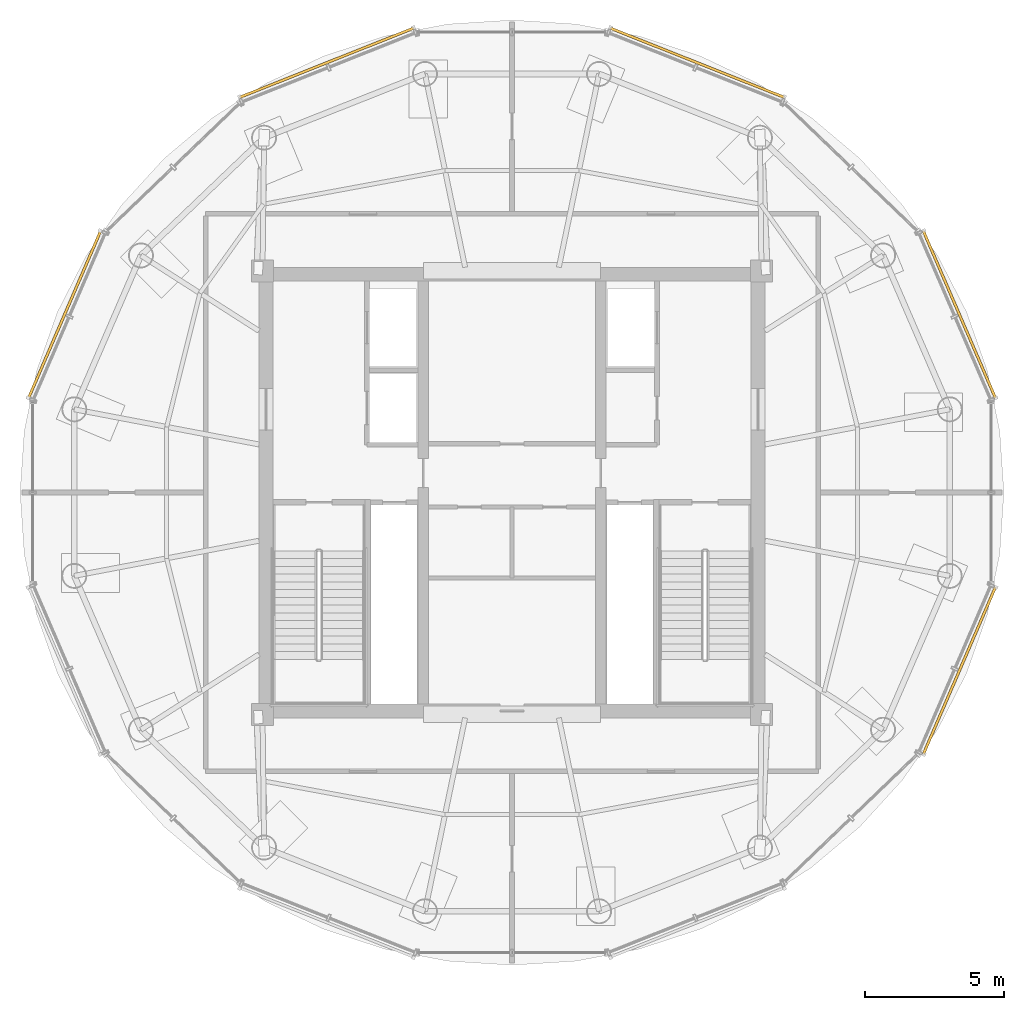
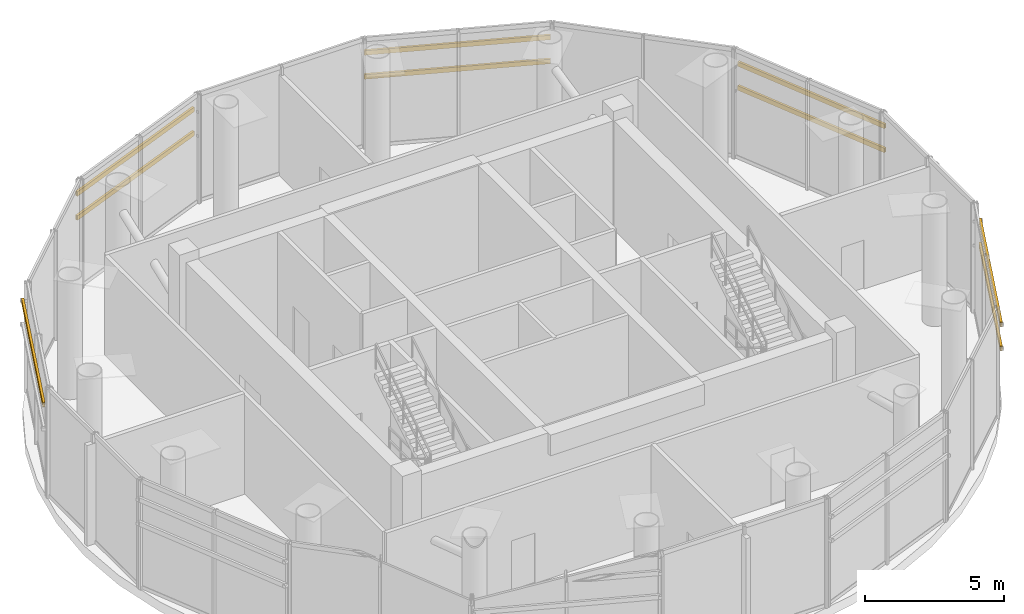
# One storey, part 15 of 15: 9 shading devices.
"""IFC4 building model written with IfcOpenShell, lengths in metres."""

from ifc_helpers import new_model, si_unit, direction, frame, origin, origin_2d, place, context, subcontext, project, spatial, hollow_rectangle, extrude, source, transform, mapped, material, material_profile, profile_set, type_object, element, save


model = new_model("IFC4")

# Units and contexts
model_context = context("Model", 3, precision=1e-05, world=origin(), true_north=direction((-0.2419218956, 0.970295726276)))
body_context = subcontext(model_context, "Body", "Model", "MODEL_VIEW")
ifc_project = project(units=[si_unit("LENGTHUNIT", "METRE"), si_unit("AREAUNIT", "SQUARE_METRE"), si_unit("VOLUMEUNIT", "CUBIC_METRE"), si_unit("PLANEANGLEUNIT", "RADIAN"), si_unit("MASSUNIT", "GRAM", prefix="KILO")], contexts=[model_context])

# Site, building, storey
site_placement = place(None, origin())
site = spatial("IfcSite", under=ifc_project, at=site_placement, CompositionType="ELEMENT")
building_placement = place(site_placement, origin())
building = spatial("IfcBuilding", under=site, at=building_placement, Name="Cobrevalo Terracotta Tower", CompositionType="ELEMENT")
storey_placement = place(building_placement, frame((0.0, 0.0, 316.5)))
storey = spatial("IfcBuildingStorey", under=building, at=storey_placement, Name="L82", CompositionType="ELEMENT", Elevation=316.5)

# Shading devices
ifc_material = material(Name="Extruded fired architectural terracotta", Category="masonry")
ifc_material_profile = material_profile(ifc_material, hollow_rectangle(XDim=0.094970703125, YDim=0.199951171875, WallThickness=0.01611328125, at=origin_2d()), Name="BAGUETTE 95x200")
ifc_profile_set = profile_set([ifc_material_profile], Name="Extruded fired architectural terracotta")
shading_device_type = type_object("IfcShadingDeviceType", Name="Upper-Zone Terracotta Baguette Screen 95x200", PredefinedType="USERDEFINED", material=ifc_profile_set)
shared_shape_1 = source(origin(), body_context, "Body", "SweptSolid", [
    extrude(hollow_rectangle(XDim=0.094970703125, YDim=0.199951171875, WallThickness=0.01611328125, at=origin_2d()), origin(), (0.0, 0.0, 1.0), 6.566650390625),
])
for number, where, z_axis, x_axis, name in (
    (1, (55.440673828125, 30.2109375, 2.963623046875), (-0.396072057664, 0.91821943191, 0.0), (-0.91821943191, -0.396072057664, 0.0), "CW-CRN-L82-S01 horizontal terracotta baguette 1"),
    (2, (55.440673828125, 30.2109375, 4.01513671875), (-0.396072057664, 0.91821943191, 0.0), (-0.91821943191, -0.396072057664, 0.0), "CW-CRN-L82-S01 horizontal terracotta baguette 2"),
    (3, (23.16015625, 36.240478515625, 4.01513671875), (-0.396072057664, -0.91821943191, 0.0), (0.91821943191, -0.396072057664, 0.0), "CW-CRN-L82-S07 horizontal terracotta baguette 2"),
    (4, (52.83984375, 17.359619140625, 2.963623046875), (0.396072057664, 0.91821943191, 0.0), (-0.91821943191, 0.396072057664, 0.0), "CW-CRN-L82-S15 horizontal terracotta baguette 1"),
    (5, (52.83984375, 17.359619140625, 4.01513671875), (0.396072057664, 0.91821943191, 0.0), (-0.91821943191, 0.396072057664, 0.0), "CW-CRN-L82-S15 horizontal terracotta baguette 2"),
):
    element("IfcShadingDevice", number, at=place(storey_placement, frame(where, z_axis=z_axis, x_axis=x_axis)), inside=storey, type_object=shading_device_type, Name=name, ObjectType="BAGUETTE", PredefinedType="USERDEFINED", context=body_context, shape_type="MappedRepresentation", body=[
        mapped(shared_shape_1, transform((0.0, 0.0, 0.0), scale=1.0)),
    ])
shared_shape_2 = source(origin(), body_context, "Body", "SweptSolid", [
    extrude(hollow_rectangle(XDim=0.094970703125, YDim=0.199951171875, WallThickness=0.01611328125, at=origin_2d()), origin(), (0.0, 0.0, 1.0), 6.75927734375),
])
for number, where, z_axis, x_axis, name in (
    (6, (47.823974609375, 41.058837890625, 2.963623046875), (-0.92918987203, 0.369602734995, 0.0), (-0.369602734995, -0.92918987203, 0.0), "CW-CRN-L82-S03 horizontal terracotta baguette 1"),
    (7, (47.823974609375, 41.058837890625, 4.01513671875), (-0.92918987203, 0.369602734995, 0.0), (-0.369602734995, -0.92918987203, 0.0), "CW-CRN-L82-S03 horizontal terracotta baguette 2"),
    (8, (34.456787109375, 43.55712890625, 2.963623046875), (-0.92918987203, -0.369602734995, 0.0), (0.369602734995, -0.92918987203, 0.0), "CW-CRN-L82-S05 horizontal terracotta baguette 1"),
    (9, (34.456787109375, 43.55712890625, 4.01513671875), (-0.92918987203, -0.369602734995, 0.0), (0.369602734995, -0.92918987203, 0.0), "CW-CRN-L82-S05 horizontal terracotta baguette 2"),
):
    element("IfcShadingDevice", number, at=place(storey_placement, frame(where, z_axis=z_axis, x_axis=x_axis)), inside=storey, type_object=shading_device_type, Name=name, ObjectType="BAGUETTE", PredefinedType="USERDEFINED", context=body_context, shape_type="MappedRepresentation", body=[
        mapped(shared_shape_2, transform((0.0, 0.0, 0.0), scale=1.0)),
    ])

save(model, "model.ifc")
